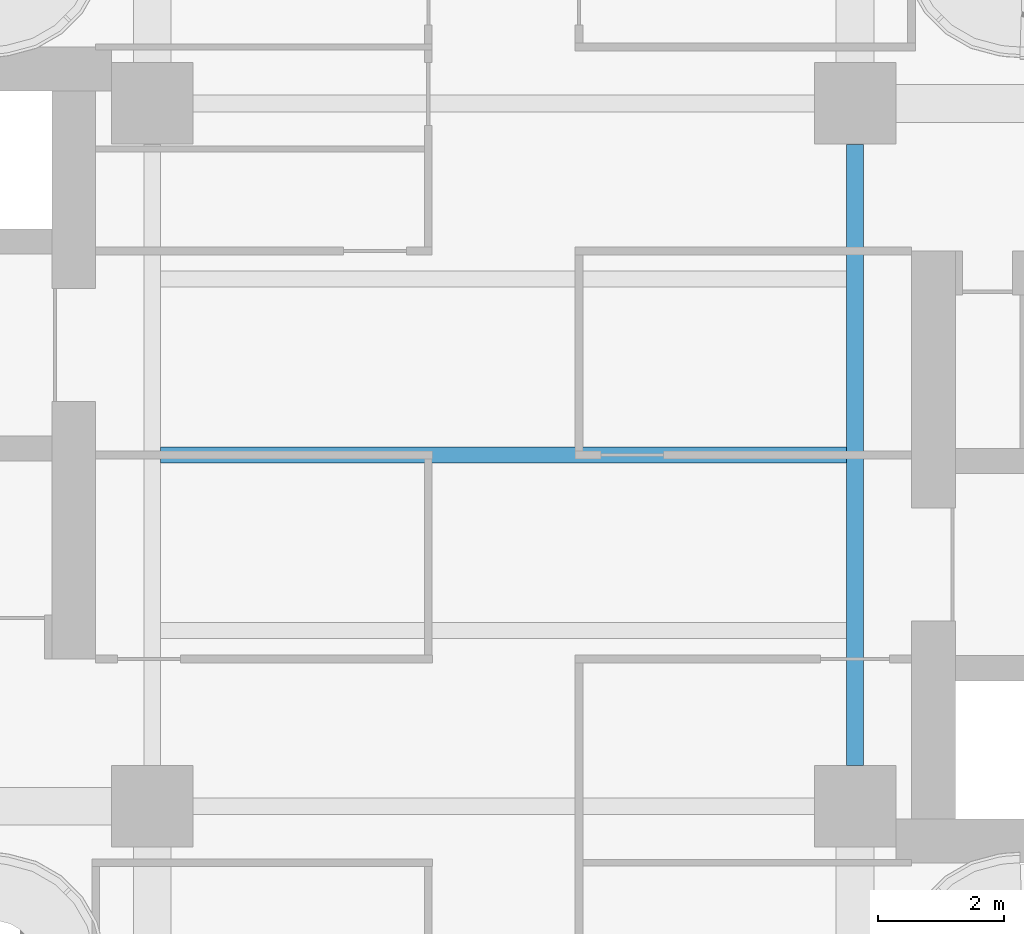
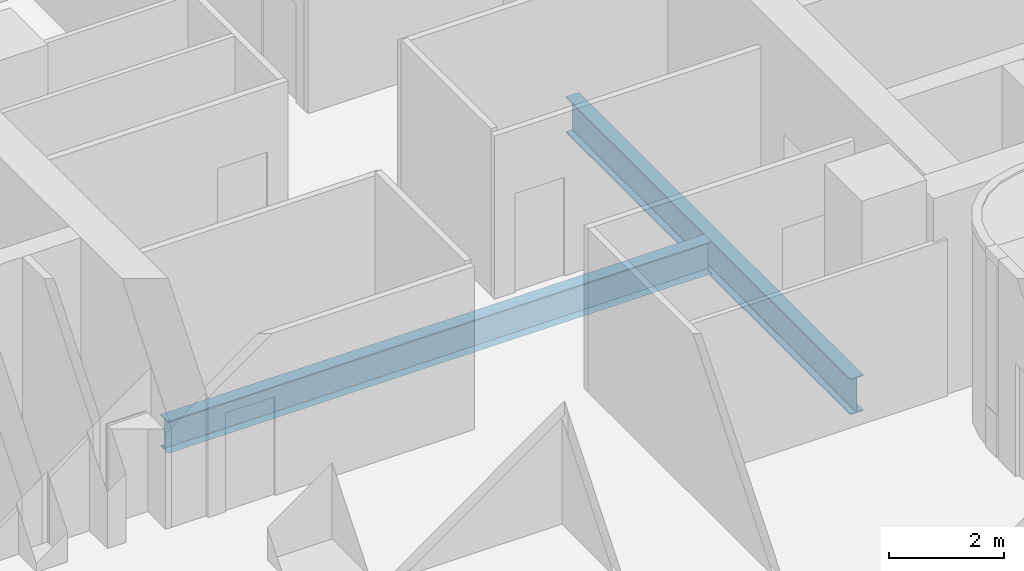
# One storey, part 6 of 23: 2 beams.
"""IFC4 building model written with IfcOpenShell, lengths in metres."""

from ifc_helpers import new_model, si_unit, direction, frame, origin, origin_2d, place, context, subcontext, project, spatial, i_section, extrude, source, transform, mapped, material, material_profile, profile_set, type_object, element, save


model = new_model("IFC4")

# Units and contexts
model_context = context("Model", 3, precision=1e-05, world=origin(), true_north=direction((0.0, 1.0)))
body_context = subcontext(model_context, "Body", "Model", "MODEL_VIEW")
ifc_project = project(units=[si_unit("LENGTHUNIT", "METRE"), si_unit("AREAUNIT", "SQUARE_METRE"), si_unit("VOLUMEUNIT", "CUBIC_METRE"), si_unit("PLANEANGLEUNIT", "RADIAN"), si_unit("MASSUNIT", "GRAM", prefix="KILO")], contexts=[model_context])

# Site, building, storey
site_placement = place(None, origin())
site = spatial("IfcSite", under=ifc_project, at=site_placement, CompositionType="ELEMENT")
building_placement = place(site_placement, origin())
building = spatial("IfcBuilding", under=site, at=building_placement, Name="Trellis Farm Tower", CompositionType="ELEMENT")
storey_placement = place(building_placement, frame((0.0, 0.0, 111.0)))
storey = spatial("IfcBuildingStorey", under=building, at=storey_placement, Name="L23", CompositionType="ELEMENT", Elevation=111.0)

# Beams
ifc_material = material(Name="Steel S355", Category="steel")
ifc_material_profile_1 = material_profile(ifc_material, i_section(OverallWidth=0.253662109375, OverallDepth=0.68359375, WebThickness=0.012451171875, FlangeThickness=0.021728515625, FilletRadius=0.01513671875, at=origin_2d()), Name="UB 686x254x140")
ifc_profile_set_1 = profile_set([ifc_material_profile_1], Name="Steel S355")
beam_type_1 = type_object("IfcBeamType", Name="UB 686x254x140 joist", PredefinedType="JOIST", material=ifc_profile_set_1)
shared_shape_1 = source(origin(), body_context, "Body", "SweptSolid", [
    extrude(i_section(OverallWidth=0.253662109375, OverallDepth=0.68359375, WebThickness=0.012451171875, FlangeThickness=0.021728515625, FilletRadius=0.01513671875, at=origin_2d()), origin(), (0.0, 0.0, 1.0), 10.93310546875),
])
beam_1_placement = place(storey_placement, frame((-5.466552734375, 0.0, -0.591796875), z_axis=(1.0, 0.0, 0.0), x_axis=(0.0, 1.0, 0.0)))
element("IfcBeam", 1, at=beam_1_placement, inside=storey, type_object=beam_type_1, Name="Floor beam", PredefinedType="JOIST", context=body_context, shape_type="MappedRepresentation", body=[
    mapped(shared_shape_1, transform((0.0, 0.0, 0.0))),
])
ifc_material_profile_2 = material_profile(ifc_material, i_section(OverallWidth=0.2666015625, OverallDepth=0.76220703125, WebThickness=0.014404296875, FlangeThickness=0.021484375, FilletRadius=0.0166015625, at=origin_2d()), Name="UB 762x267x173")
ifc_profile_set_2 = profile_set([ifc_material_profile_2], Name="Steel S355")
beam_type_2 = type_object("IfcBeamType", Name="UB 762x267x173", PredefinedType="BEAM", material=ifc_profile_set_2)
shared_shape_2 = source(origin(), body_context, "Body", "SweptSolid", [
    extrude(i_section(OverallWidth=0.2666015625, OverallDepth=0.76220703125, WebThickness=0.014404296875, FlangeThickness=0.021484375, FilletRadius=0.0166015625, at=origin_2d()), origin(), (0.0, 0.0, 1.0), 9.89990234375),
])
beam_2_placement = place(storey_placement, frame((5.60009765625, -4.949951171875, -0.631103515625), z_axis=(0.0, 1.0, 0.0), x_axis=(-1.0, 0.0, 0.0)))
element("IfcBeam", 2, at=beam_2_placement, inside=storey, type_object=beam_type_2, Name="Girder", PredefinedType="BEAM", context=body_context, shape_type="MappedRepresentation", body=[
    mapped(shared_shape_2, transform((0.0, 0.0, 0.0))),
])

save(model, "model.ifc")
